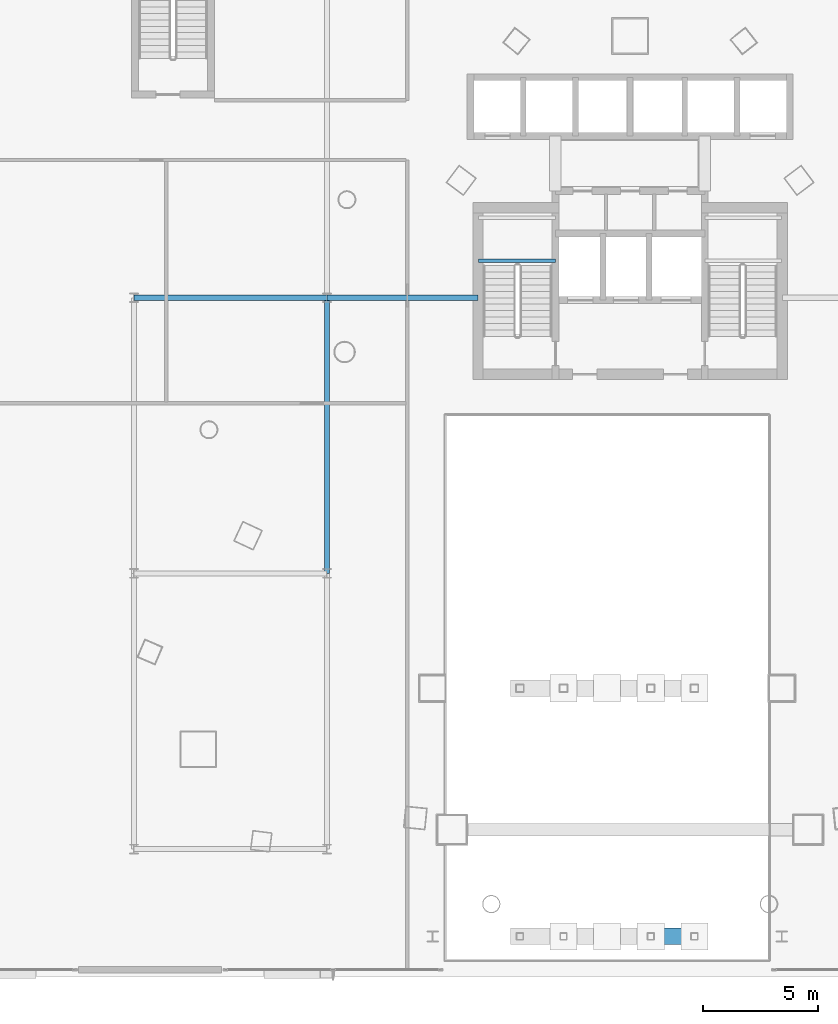
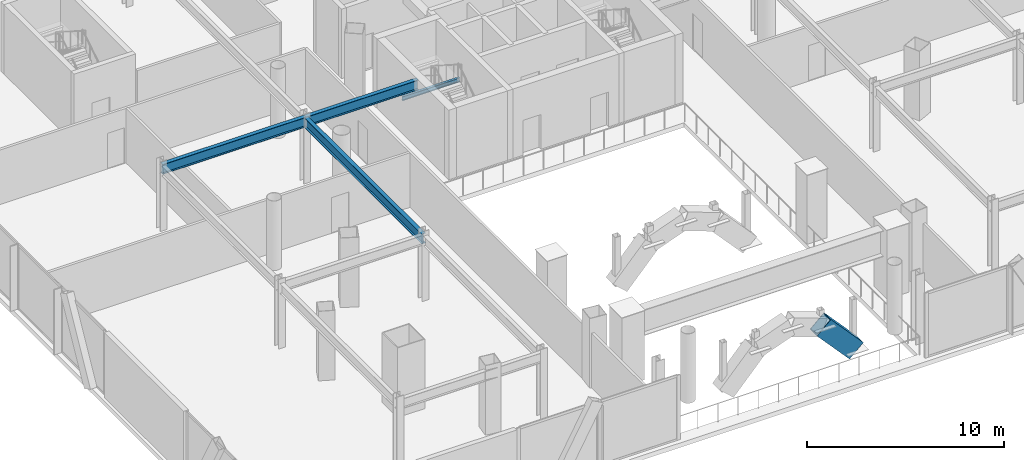
# One storey, part 13 of 42: 4 beams, 1 member.
"""IFC4 building model written with IfcOpenShell, lengths in metres."""

from ifc_helpers import new_model, si_unit, direction, frame, origin, origin_2d, place, context, subcontext, project, spatial, hollow_rectangle, i_section, extrude, material, material_profile, profile_set, type_object, element, save


model = new_model("IFC4")

# Units and contexts
model_context = context("Model", 3, precision=1e-05, world=origin(), true_north=direction((0.0, 1.0)))
body_context = subcontext(model_context, "Body", "Model", "MODEL_VIEW")
ifc_project = project(units=[si_unit("LENGTHUNIT", "METRE"), si_unit("AREAUNIT", "SQUARE_METRE"), si_unit("VOLUMEUNIT", "CUBIC_METRE"), si_unit("PLANEANGLEUNIT", "RADIAN"), si_unit("MASSUNIT", "GRAM", prefix="KILO")], contexts=[model_context])

# Site, building, storey
site_placement = place(None, origin())
site = spatial("IfcSite", under=ifc_project, at=site_placement, CompositionType="ELEMENT")
building_placement = place(site_placement, origin())
building = spatial("IfcBuilding", under=site, at=building_placement, Name="Orvanel Arch Residences", CompositionType="ELEMENT")
storey_placement = place(building_placement, frame((0.0, 0.0, 9.800048828125)))
storey = spatial("IfcBuildingStorey", under=building, at=storey_placement, Name="L02", CompositionType="ELEMENT", Elevation=9.800048828125)

# Member
ifc_material_1 = material(Name="Structural steel AS/NZS 3678 Grade 350", Category="steel")
ifc_material_profile_1 = material_profile(ifc_material_1, hollow_rectangle(XDim=0.719970703125, YDim=1.10009765625, WallThickness=0.035888671875, at=origin_2d()), Name="BOX1100x720x36")
ifc_profile_set_1 = profile_set([ifc_material_profile_1], Name="Structural steel AS/NZS 3678 Grade 350")
member_type = type_object("IfcMemberType", Name="AR-1100BOX-EXT", PredefinedType="USERDEFINED", material=ifc_profile_set_1)
member_placement = place(storey_placement, frame((33.89990234375, 2.199951171875, 3.052978515625), z_axis=(0.67268569975, 0.0, -0.739928340687), x_axis=(0.0, 1.0, 0.0)))
element("IfcMember", 1, at=member_placement, inside=storey, type_object=member_type, Name="Monumental Podium Arch Rib SOUTH Segment 6", ObjectType="ARCH_SEGMENT", PredefinedType="USERDEFINED", context=body_context, shape_type="SweptSolid", body=[
    extrude(hollow_rectangle(XDim=0.719970703125, YDim=1.10009765625, WallThickness=0.035888671875, at=origin_2d()), origin(), (0.0, 0.0, 1.0), 2.82470703125),
])

# Beams
ifc_material_2 = material(Name="Structural steel AS/NZS 3679.1 Grade 300 (300 MPa)", Category="steel")
ifc_material_profile_2 = material_profile(ifc_material_2, i_section(OverallWidth=0.22900390625, OverallDepth=0.612060546875, WebThickness=0.011962890625, FlangeThickness=0.01953125, at=origin_2d()), Name="610UB125")
ifc_profile_set_2 = profile_set([ifc_material_profile_2], Name="Structural steel AS/NZS 3679.1 Grade 300 (300 MPa)")
beam_type_1 = type_object("IfcBeamType", Name="BG-610UB", PredefinedType="BEAM", material=ifc_profile_set_2)
beam_1_placement = place(storey_placement, frame((11.39990234375, 30.0, 3.7138671875), z_axis=(1.0, 0.0, 0.0), x_axis=(0.0, 1.0, 0.0)))
element("IfcBeam", 2, at=beam_1_placement, inside=storey, type_object=beam_type_1, Name="L02 BG-610UB beam", PredefinedType="BEAM", context=body_context, shape_type="SweptSolid", body=[
    extrude(i_section(OverallWidth=0.22900390625, OverallDepth=0.612060546875, WebThickness=0.011962890625, FlangeThickness=0.01953125, at=origin_2d()), origin(), (0.0, 0.0, 1.0), 8.400146484375),
])
beam_2_placement = place(storey_placement, frame((19.800048828125, 30.0, 3.7138671875), z_axis=(1.0, 0.0, 0.0), x_axis=(0.0, 1.0, 0.0)))
element("IfcBeam", 3, at=beam_2_placement, inside=storey, type_object=beam_type_1, Name="L02 BG-610UB beam", PredefinedType="BEAM", context=body_context, shape_type="SweptSolid", body=[
    extrude(i_section(OverallWidth=0.22900390625, OverallDepth=0.612060546875, WebThickness=0.011962890625, FlangeThickness=0.01953125, at=origin_2d()), origin(), (0.0, 0.0, 1.0), 6.574951171875),
])
beam_3_placement = place(storey_placement, frame((19.800048828125, 18.0, 3.7138671875), z_axis=(0.0, 1.0, 0.0), x_axis=(-1.0, 0.0, 0.0)))
element("IfcBeam", 4, at=beam_3_placement, inside=storey, type_object=beam_type_1, Name="L02 North-South Podium Girder XW20-M", PredefinedType="BEAM", context=body_context, shape_type="SweptSolid", body=[
    extrude(i_section(OverallWidth=0.22900390625, OverallDepth=0.612060546875, WebThickness=0.011962890625, FlangeThickness=0.01953125, at=origin_2d()), origin(), (0.0, 0.0, 1.0), 12.0),
])
ifc_material_profile_3 = material_profile(ifc_material_2, i_section(OverallWidth=0.14599609375, OverallDepth=0.251953125, WebThickness=0.006103515625, FlangeThickness=0.008544921875, at=origin_2d()), Name="250UB31.4")
ifc_profile_set_3 = profile_set([ifc_material_profile_3], Name="Structural steel AS/NZS 3679.1 Grade 300 (300 MPa)")
beam_type_2 = type_object("IfcBeamType", Name="BJ-250UB", PredefinedType="JOIST", material=ifc_profile_set_3)
beam_4_placement = place(storey_placement, frame((26.39990234375, 31.6201171875, 1.823974609375), z_axis=(1.0, 0.0, 0.0), x_axis=(0.0, 1.0, 0.0)))
element("IfcBeam", 5, at=beam_4_placement, inside=storey, type_object=beam_type_2, Name="L02 ST-1 Half-Landing Support Beam 1.1", PredefinedType="JOIST", context=body_context, shape_type="SweptSolid", body=[
    extrude(i_section(OverallWidth=0.14599609375, OverallDepth=0.251953125, WebThickness=0.006103515625, FlangeThickness=0.008544921875, at=origin_2d()), origin(), (0.0, 0.0, 1.0), 3.35009765625),
])

save(model, "model.ifc")
